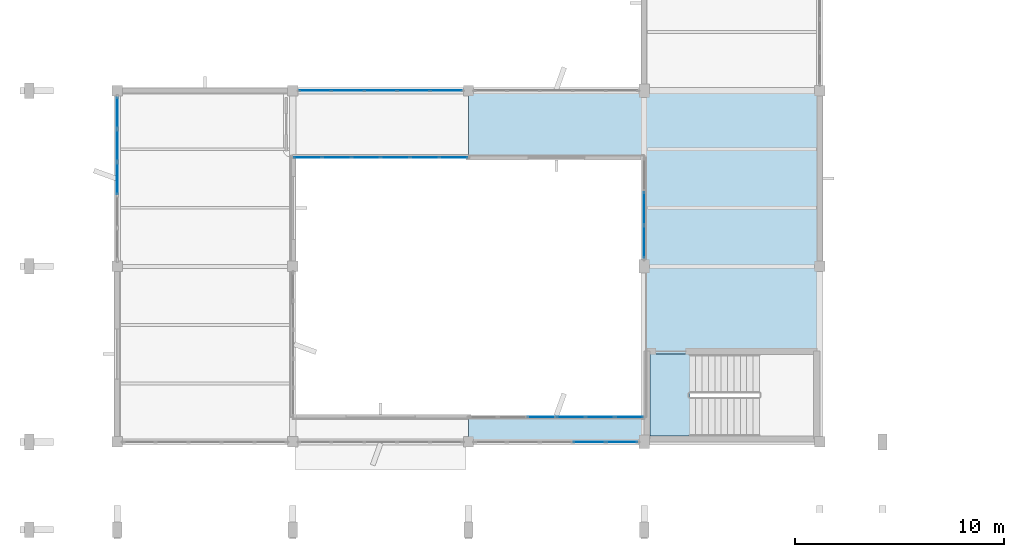
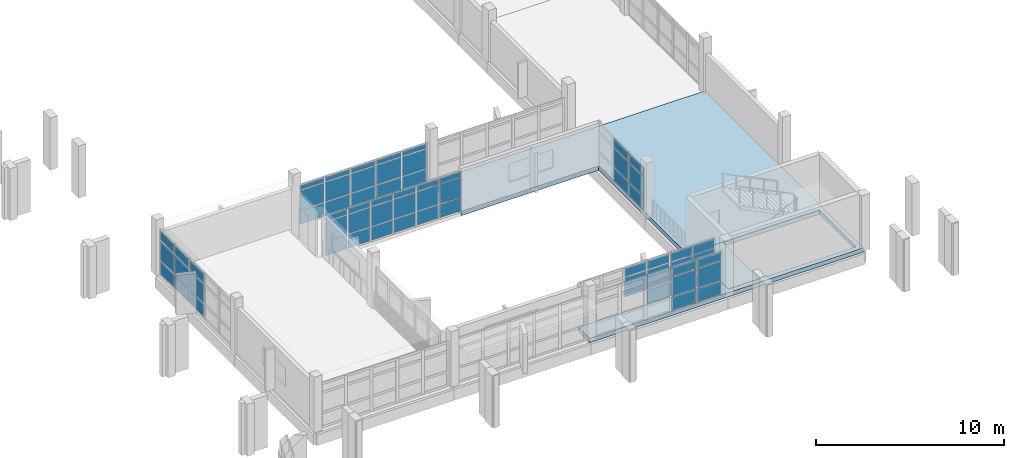
# One storey, part 50 of 104: 65 plates, 2 slabs, 6 elements without a shape of their own.
"""IFC4 building model written with IfcOpenShell, lengths in metres."""

from ifc_helpers import new_model, si_unit, direction, frame, origin, origin_2d, place, context, subcontext, project, spatial, polyline, rectangle, outline, extrude, material, layer, layer_set, type_object, element, aggregate, save


model = new_model("IFC4")

# Units and contexts
model_context = context("Model", 3, precision=1e-05, world=origin(), true_north=direction((0.0, 1.0)))
body_context = subcontext(model_context, "Body", "Model", "MODEL_VIEW")
ifc_project = project(units=[si_unit("LENGTHUNIT", "METRE"), si_unit("AREAUNIT", "SQUARE_METRE"), si_unit("VOLUMEUNIT", "CUBIC_METRE"), si_unit("PLANEANGLEUNIT", "RADIAN"), si_unit("MASSUNIT", "GRAM", prefix="KILO")], contexts=[model_context])

# Site, building, storey
site_placement = place(None, origin())
site = spatial("IfcSite", under=ifc_project, at=site_placement, CompositionType="ELEMENT")
building_placement = place(site_placement, origin())
building = spatial("IfcBuilding", under=site, at=building_placement, Name="Vanh Quang Courtyard School", CompositionType="ELEMENT")
storey_placement = place(building_placement, frame((0.0, 0.0, 4.199951171875)))
storey = spatial("IfcBuildingStorey", under=building, at=storey_placement, Name="L01", CompositionType="ELEMENT", Elevation=4.199951171875)

# Curtain wall, plates
ifc_material_1 = material(Name="Thermally broken aluminium unitised curtain wall", Category="aluminium")
curtain_wall_type_1 = type_object("IfcCurtainWallType", Name="CW-SYS-29", PredefinedType="NOTDEFINED", material=ifc_material_1)
curtain_wall_1_placement = place(storey_placement, origin())
curtain_wall_1 = element("IfcCurtainWall", 1, at=curtain_wall_1_placement, inside=storey, type_object=curtain_wall_type_1, Name="Curtain Wall CW-29 (L01)", PredefinedType="NOTDEFINED")
ifc_material_2 = material(Name="Low-E laminated double glazing", Category="glass")
ifc_layer_1 = layer(ifc_material_2, 0.028076171875)
ifc_layer_set_1 = layer_set([ifc_layer_1], Name="Low-E laminated double glazing")
plate_type_1 = type_object("IfcPlateType", Name="CW-PNL-28", PredefinedType="CURTAIN_PANEL", material=ifc_layer_set_1)
plate_1_placement = place(storey_placement, frame((28.33349609375, 4.199951171875, 0.080078125), z_axis=(0.0, 0.0, 1.0), x_axis=(-1.0, 0.0, 0.0)))
plate_1 = element("IfcPlate", 2, at=plate_1_placement, type_object=plate_type_1, Name="CW-29 panel 1.1", PredefinedType="CURTAIN_PANEL", context=body_context, shape_type="SweptSolid", body=[
    extrude(rectangle(XDim=1.456787109375, YDim=0.028076171875, at=origin_2d()), origin(), (0.0, 0.0, 1.0), 0.830078125),
])
plate_2_placement = place(storey_placement, frame((28.33349609375, 4.199951171875, 0.990234375), z_axis=(0.0, 0.0, 1.0), x_axis=(-1.0, 0.0, 0.0)))
plate_2 = element("IfcPlate", 3, at=plate_2_placement, type_object=plate_type_1, Name="CW-29 panel 1.2", PredefinedType="CURTAIN_PANEL", context=body_context, shape_type="SweptSolid", body=[
    extrude(rectangle(XDim=1.456787109375, YDim=0.028076171875, at=origin_2d()), origin(), (0.0, 0.0, 1.0), 1.219970703125),
])
plate_3_placement = place(storey_placement, frame((28.33349609375, 4.199951171875, 2.2900390625), z_axis=(0.0, 0.0, 1.0), x_axis=(-1.0, 0.0, 0.0)))
plate_3 = element("IfcPlate", 4, at=plate_3_placement, type_object=plate_type_1, Name="CW-29 panel 1.3", PredefinedType="CURTAIN_PANEL", context=body_context, shape_type="SweptSolid", body=[
    extrude(rectangle(XDim=1.456787109375, YDim=0.028076171875, at=origin_2d()), origin(), (0.0, 0.0, 1.0), 0.5),
])
plate_4_placement = place(storey_placement, frame((26.77685546875, 4.199951171875, 0.080078125), z_axis=(0.0, 0.0, 1.0), x_axis=(-1.0, 0.0, 0.0)))
plate_4 = element("IfcPlate", 5, at=plate_4_placement, type_object=plate_type_1, Name="CW-29 panel 2.1", PredefinedType="CURTAIN_PANEL", context=body_context, shape_type="SweptSolid", body=[
    extrude(rectangle(XDim=1.496826171875, YDim=0.028076171875, at=origin_2d()), origin(), (0.0, 0.0, 1.0), 0.830078125),
])
plate_5_placement = place(storey_placement, frame((26.77685546875, 4.199951171875, 0.990234375), z_axis=(0.0, 0.0, 1.0), x_axis=(-1.0, 0.0, 0.0)))
plate_5 = element("IfcPlate", 6, at=plate_5_placement, type_object=plate_type_1, Name="CW-29 panel 2.2", PredefinedType="CURTAIN_PANEL", context=body_context, shape_type="SweptSolid", body=[
    extrude(rectangle(XDim=1.496826171875, YDim=0.028076171875, at=origin_2d()), origin(), (0.0, 0.0, 1.0), 1.219970703125),
])
plate_6_placement = place(storey_placement, frame((26.77685546875, 4.199951171875, 2.2900390625), z_axis=(0.0, 0.0, 1.0), x_axis=(-1.0, 0.0, 0.0)))
plate_6 = element("IfcPlate", 7, at=plate_6_placement, type_object=plate_type_1, Name="CW-29 panel 2.3", PredefinedType="CURTAIN_PANEL", context=body_context, shape_type="SweptSolid", body=[
    extrude(rectangle(XDim=1.496826171875, YDim=0.028076171875, at=origin_2d()), origin(), (0.0, 0.0, 1.0), 0.5),
])
aggregate(curtain_wall_1, [plate_1, plate_2, plate_3, plate_4, plate_5, plate_6])

curtain_wall_type_2 = type_object("IfcCurtainWallType", Name="CW-SYS-19", PredefinedType="NOTDEFINED", material=ifc_material_1)
curtain_wall_2_placement = place(storey_placement, origin())
curtain_wall_2 = element("IfcCurtainWall", 8, at=curtain_wall_2_placement, inside=storey, type_object=curtain_wall_type_2, Name="Curtain Wall CW-19 (L01)", PredefinedType="NOTDEFINED")
plate_7_placement = place(storey_placement, frame((13.661376953125, 21.0, 0.06005859375), z_axis=(0.0, 0.0, 1.0), x_axis=(1.0, 0.0, 0.0)))
plate_7 = element("IfcPlate", 9, at=plate_7_placement, type_object=plate_type_1, Name="CW-19 panel 1.1", PredefinedType="CURTAIN_PANEL", context=body_context, shape_type="SweptSolid", body=[
    extrude(rectangle(XDim=1.48681640625, YDim=0.028076171875, at=origin_2d()), origin(), (0.0, 0.0, 1.0), 0.860107421875),
])
plate_8_placement = place(storey_placement, frame((13.661376953125, 21.0, 0.97998046875), z_axis=(0.0, 0.0, 1.0), x_axis=(1.0, 0.0, 0.0)))
plate_8 = element("IfcPlate", 10, at=plate_8_placement, type_object=plate_type_1, Name="CW-19 panel 1.2", PredefinedType="CURTAIN_PANEL", context=body_context, shape_type="SweptSolid", body=[
    extrude(rectangle(XDim=1.48681640625, YDim=0.028076171875, at=origin_2d()), origin(), (0.0, 0.0, 1.0), 1.239990234375),
])
plate_9_placement = place(storey_placement, frame((13.661376953125, 21.0, 2.2802734375), z_axis=(0.0, 0.0, 1.0), x_axis=(1.0, 0.0, 0.0)))
plate_9 = element("IfcPlate", 11, at=plate_9_placement, type_object=plate_type_1, Name="CW-19 panel 1.3", PredefinedType="CURTAIN_PANEL", context=body_context, shape_type="SweptSolid", body=[
    extrude(rectangle(XDim=1.48681640625, YDim=0.028076171875, at=origin_2d()), origin(), (0.0, 0.0, 1.0), 0.280029296875),
])
plate_10_placement = place(storey_placement, frame((15.22314453125, 21.0, 0.06005859375), z_axis=(0.0, 0.0, 1.0), x_axis=(1.0, 0.0, 0.0)))
plate_10 = element("IfcPlate", 12, at=plate_10_placement, type_object=plate_type_1, Name="CW-19 panel 2.1", PredefinedType="CURTAIN_PANEL", context=body_context, shape_type="SweptSolid", body=[
    extrude(rectangle(XDim=1.516845703125, YDim=0.028076171875, at=origin_2d()), origin(), (0.0, 0.0, 1.0), 0.860107421875),
])
plate_11_placement = place(storey_placement, frame((15.22314453125, 21.0, 0.97998046875), z_axis=(0.0, 0.0, 1.0), x_axis=(1.0, 0.0, 0.0)))
plate_11 = element("IfcPlate", 13, at=plate_11_placement, type_object=plate_type_1, Name="CW-19 panel 2.2", PredefinedType="CURTAIN_PANEL", context=body_context, shape_type="SweptSolid", body=[
    extrude(rectangle(XDim=1.516845703125, YDim=0.028076171875, at=origin_2d()), origin(), (0.0, 0.0, 1.0), 1.239990234375),
])
plate_12_placement = place(storey_placement, frame((15.22314453125, 21.0, 2.2802734375), z_axis=(0.0, 0.0, 1.0), x_axis=(1.0, 0.0, 0.0)))
plate_12 = element("IfcPlate", 14, at=plate_12_placement, type_object=plate_type_1, Name="CW-19 panel 2.3", PredefinedType="CURTAIN_PANEL", context=body_context, shape_type="SweptSolid", body=[
    extrude(rectangle(XDim=1.516845703125, YDim=0.028076171875, at=origin_2d()), origin(), (0.0, 0.0, 1.0), 0.280029296875),
])
plate_13_placement = place(storey_placement, frame((16.800048828125, 21.0, 0.06005859375), z_axis=(0.0, 0.0, 1.0), x_axis=(1.0, 0.0, 0.0)))
plate_13 = element("IfcPlate", 15, at=plate_13_placement, type_object=plate_type_1, Name="CW-19 panel 3.1", PredefinedType="CURTAIN_PANEL", context=body_context, shape_type="SweptSolid", body=[
    extrude(rectangle(XDim=1.516845703125, YDim=0.028076171875, at=origin_2d()), origin(), (0.0, 0.0, 1.0), 0.860107421875),
])
plate_14_placement = place(storey_placement, frame((16.800048828125, 21.0, 0.97998046875), z_axis=(0.0, 0.0, 1.0), x_axis=(1.0, 0.0, 0.0)))
plate_14 = element("IfcPlate", 16, at=plate_14_placement, type_object=plate_type_1, Name="CW-19 panel 3.2", PredefinedType="CURTAIN_PANEL", context=body_context, shape_type="SweptSolid", body=[
    extrude(rectangle(XDim=1.516845703125, YDim=0.028076171875, at=origin_2d()), origin(), (0.0, 0.0, 1.0), 1.239990234375),
])
plate_15_placement = place(storey_placement, frame((16.800048828125, 21.0, 2.2802734375), z_axis=(0.0, 0.0, 1.0), x_axis=(1.0, 0.0, 0.0)))
plate_15 = element("IfcPlate", 17, at=plate_15_placement, type_object=plate_type_1, Name="CW-19 panel 3.3", PredefinedType="CURTAIN_PANEL", context=body_context, shape_type="SweptSolid", body=[
    extrude(rectangle(XDim=1.516845703125, YDim=0.028076171875, at=origin_2d()), origin(), (0.0, 0.0, 1.0), 0.280029296875),
])
plate_16_placement = place(storey_placement, frame((18.376708984375, 21.0, 0.06005859375), z_axis=(0.0, 0.0, 1.0), x_axis=(1.0, 0.0, 0.0)))
plate_16 = element("IfcPlate", 18, at=plate_16_placement, type_object=plate_type_1, Name="CW-19 panel 4.1", PredefinedType="CURTAIN_PANEL", context=body_context, shape_type="SweptSolid", body=[
    extrude(rectangle(XDim=1.516845703125, YDim=0.028076171875, at=origin_2d()), origin(), (0.0, 0.0, 1.0), 0.860107421875),
])
plate_17_placement = place(storey_placement, frame((18.376708984375, 21.0, 0.97998046875), z_axis=(0.0, 0.0, 1.0), x_axis=(1.0, 0.0, 0.0)))
plate_17 = element("IfcPlate", 19, at=plate_17_placement, type_object=plate_type_1, Name="CW-19 panel 4.2", PredefinedType="CURTAIN_PANEL", context=body_context, shape_type="SweptSolid", body=[
    extrude(rectangle(XDim=1.516845703125, YDim=0.028076171875, at=origin_2d()), origin(), (0.0, 0.0, 1.0), 1.239990234375),
])
plate_18_placement = place(storey_placement, frame((18.376708984375, 21.0, 2.2802734375), z_axis=(0.0, 0.0, 1.0), x_axis=(1.0, 0.0, 0.0)))
plate_18 = element("IfcPlate", 20, at=plate_18_placement, type_object=plate_type_1, Name="CW-19 panel 4.3", PredefinedType="CURTAIN_PANEL", context=body_context, shape_type="SweptSolid", body=[
    extrude(rectangle(XDim=1.516845703125, YDim=0.028076171875, at=origin_2d()), origin(), (0.0, 0.0, 1.0), 0.280029296875),
])
plate_19_placement = place(storey_placement, frame((19.938720703125, 21.0, 0.06005859375), z_axis=(0.0, 0.0, 1.0), x_axis=(1.0, 0.0, 0.0)))
plate_19 = element("IfcPlate", 21, at=plate_19_placement, type_object=plate_type_1, Name="CW-19 panel 5.1", PredefinedType="CURTAIN_PANEL", context=body_context, shape_type="SweptSolid", body=[
    extrude(rectangle(XDim=1.48681640625, YDim=0.028076171875, at=origin_2d()), origin(), (0.0, 0.0, 1.0), 0.860107421875),
])
plate_20_placement = place(storey_placement, frame((19.938720703125, 21.0, 0.97998046875), z_axis=(0.0, 0.0, 1.0), x_axis=(1.0, 0.0, 0.0)))
plate_20 = element("IfcPlate", 22, at=plate_20_placement, type_object=plate_type_1, Name="CW-19 panel 5.2", PredefinedType="CURTAIN_PANEL", context=body_context, shape_type="SweptSolid", body=[
    extrude(rectangle(XDim=1.48681640625, YDim=0.028076171875, at=origin_2d()), origin(), (0.0, 0.0, 1.0), 1.239990234375),
])
plate_21_placement = place(storey_placement, frame((19.938720703125, 21.0, 2.2802734375), z_axis=(0.0, 0.0, 1.0), x_axis=(1.0, 0.0, 0.0)))
plate_21 = element("IfcPlate", 23, at=plate_21_placement, type_object=plate_type_1, Name="CW-19 panel 5.3", PredefinedType="CURTAIN_PANEL", context=body_context, shape_type="SweptSolid", body=[
    extrude(rectangle(XDim=1.48681640625, YDim=0.028076171875, at=origin_2d()), origin(), (0.0, 0.0, 1.0), 0.280029296875),
])
aggregate(curtain_wall_2, [plate_7, plate_8, plate_9, plate_10, plate_11, plate_12, plate_13, plate_14, plate_15, plate_16, plate_17, plate_18, plate_19, plate_20, plate_21])

curtain_wall_type_3 = type_object("IfcCurtainWallType", Name="CW-SYS-32", PredefinedType="NOTDEFINED", material=ifc_material_1)
curtain_wall_3_placement = place(storey_placement, origin())
curtain_wall_3 = element("IfcCurtainWall", 24, at=curtain_wall_3_placement, inside=storey, type_object=curtain_wall_type_3, Name="Curtain Wall CW-32 (L01)", PredefinedType="NOTDEFINED")
plate_22_placement = place(storey_placement, frame((29.39990234375, 13.76416015625, 0.080078125), z_axis=(0.0, 0.0, 1.0), x_axis=(0.0, 1.0, 0.0)))
plate_22 = element("IfcPlate", 25, at=plate_22_placement, type_object=plate_type_1, Name="CW-32 panel 1.1", PredefinedType="CURTAIN_PANEL", context=body_context, shape_type="SweptSolid", body=[
    extrude(rectangle(XDim=1.50244140625, YDim=0.028076171875, at=origin_2d()), origin(), (0.0, 0.0, 1.0), 0.830078125),
])
plate_23_placement = place(storey_placement, frame((29.39990234375, 13.76416015625, 0.990234375), z_axis=(0.0, 0.0, 1.0), x_axis=(0.0, 1.0, 0.0)))
plate_23 = element("IfcPlate", 26, at=plate_23_placement, type_object=plate_type_1, Name="CW-32 panel 1.2", PredefinedType="CURTAIN_PANEL", context=body_context, shape_type="SweptSolid", body=[
    extrude(rectangle(XDim=1.50244140625, YDim=0.028076171875, at=origin_2d()), origin(), (0.0, 0.0, 1.0), 1.219970703125),
])
plate_24_placement = place(storey_placement, frame((29.39990234375, 13.76416015625, 2.2900390625), z_axis=(0.0, 0.0, 1.0), x_axis=(0.0, 1.0, 0.0)))
plate_24 = element("IfcPlate", 27, at=plate_24_placement, type_object=plate_type_1, Name="CW-32 panel 1.3", PredefinedType="CURTAIN_PANEL", context=body_context, shape_type="SweptSolid", body=[
    extrude(rectangle(XDim=1.50244140625, YDim=0.028076171875, at=origin_2d()), origin(), (0.0, 0.0, 1.0), 0.510009765625),
])
plate_25_placement = place(storey_placement, frame((29.39990234375, 15.366455078125, 0.080078125), z_axis=(0.0, 0.0, 1.0), x_axis=(0.0, 1.0, 0.0)))
plate_25 = element("IfcPlate", 28, at=plate_25_placement, type_object=plate_type_1, Name="CW-32 panel 2.1", PredefinedType="CURTAIN_PANEL", context=body_context, shape_type="SweptSolid", body=[
    extrude(rectangle(XDim=1.542236328125, YDim=0.028076171875, at=origin_2d()), origin(), (0.0, 0.0, 1.0), 0.830078125),
])
plate_26_placement = place(storey_placement, frame((29.39990234375, 15.366455078125, 0.990234375), z_axis=(0.0, 0.0, 1.0), x_axis=(0.0, 1.0, 0.0)))
plate_26 = element("IfcPlate", 29, at=plate_26_placement, type_object=plate_type_1, Name="CW-32 panel 2.2", PredefinedType="CURTAIN_PANEL", context=body_context, shape_type="SweptSolid", body=[
    extrude(rectangle(XDim=1.542236328125, YDim=0.028076171875, at=origin_2d()), origin(), (0.0, 0.0, 1.0), 1.219970703125),
])
plate_27_placement = place(storey_placement, frame((29.39990234375, 15.366455078125, 2.2900390625), z_axis=(0.0, 0.0, 1.0), x_axis=(0.0, 1.0, 0.0)))
plate_27 = element("IfcPlate", 30, at=plate_27_placement, type_object=plate_type_1, Name="CW-32 panel 2.3", PredefinedType="CURTAIN_PANEL", context=body_context, shape_type="SweptSolid", body=[
    extrude(rectangle(XDim=1.542236328125, YDim=0.028076171875, at=origin_2d()), origin(), (0.0, 0.0, 1.0), 0.510009765625),
])
aggregate(curtain_wall_3, [plate_22, plate_23, plate_24, plate_25, plate_26, plate_27])

curtain_wall_type_4 = type_object("IfcCurtainWallType", Name="CW-SYS-30", PredefinedType="NOTDEFINED", material=ifc_material_1)
curtain_wall_4_placement = place(storey_placement, origin())
curtain_wall_4 = element("IfcCurtainWall", 31, at=curtain_wall_4_placement, inside=storey, type_object=curtain_wall_type_4, Name="Curtain Wall CW-30 (L01)", PredefinedType="NOTDEFINED")
ifc_layer_2 = layer(ifc_material_2, 0.031982421875)
ifc_layer_set_2 = layer_set([ifc_layer_2], Name="Low-E laminated double glazing")
plate_type_2 = type_object("IfcPlateType", Name="CW-PNL-32", PredefinedType="CURTAIN_PANEL", material=ifc_layer_set_2)
plate_28_placement = place(storey_placement, frame((4.199951171875, 16.800048828125, 0.080078125), z_axis=(0.0, 0.0, 1.0), x_axis=(0.0, 1.0, 0.0)))
plate_28 = element("IfcPlate", 32, at=plate_28_placement, type_object=plate_type_2, Name="CW-30 panel 3.1", PredefinedType="CURTAIN_PANEL", context=body_context, shape_type="SweptSolid", body=[
    extrude(rectangle(XDim=1.496826171875, YDim=0.031982421875, at=origin_2d()), origin(), (0.0, 0.0, 1.0), 0.830078125),
])
plate_29_placement = place(storey_placement, frame((4.199951171875, 16.800048828125, 0.990234375), z_axis=(0.0, 0.0, 1.0), x_axis=(0.0, 1.0, 0.0)))
plate_29 = element("IfcPlate", 33, at=plate_29_placement, type_object=plate_type_2, Name="CW-30 panel 3.2", PredefinedType="CURTAIN_PANEL", context=body_context, shape_type="SweptSolid", body=[
    extrude(rectangle(XDim=1.496826171875, YDim=0.031982421875, at=origin_2d()), origin(), (0.0, 0.0, 1.0), 1.219970703125),
])
plate_30_placement = place(storey_placement, frame((4.199951171875, 16.800048828125, 2.2900390625), z_axis=(0.0, 0.0, 1.0), x_axis=(0.0, 1.0, 0.0)))
plate_30 = element("IfcPlate", 34, at=plate_30_placement, type_object=plate_type_2, Name="CW-30 panel 3.3", PredefinedType="CURTAIN_PANEL", context=body_context, shape_type="SweptSolid", body=[
    extrude(rectangle(XDim=1.496826171875, YDim=0.031982421875, at=origin_2d()), origin(), (0.0, 0.0, 1.0), 0.590087890625),
])
plate_31_placement = place(storey_placement, frame((4.199951171875, 18.376708984375, 0.080078125), z_axis=(0.0, 0.0, 1.0), x_axis=(0.0, 1.0, 0.0)))
plate_31 = element("IfcPlate", 35, at=plate_31_placement, type_object=plate_type_2, Name="CW-30 panel 4.1", PredefinedType="CURTAIN_PANEL", context=body_context, shape_type="SweptSolid", body=[
    extrude(rectangle(XDim=1.496826171875, YDim=0.031982421875, at=origin_2d()), origin(), (0.0, 0.0, 1.0), 0.830078125),
])
plate_32_placement = place(storey_placement, frame((4.199951171875, 18.376708984375, 0.990234375), z_axis=(0.0, 0.0, 1.0), x_axis=(0.0, 1.0, 0.0)))
plate_32 = element("IfcPlate", 36, at=plate_32_placement, type_object=plate_type_2, Name="CW-30 panel 4.2", PredefinedType="CURTAIN_PANEL", context=body_context, shape_type="SweptSolid", body=[
    extrude(rectangle(XDim=1.496826171875, YDim=0.031982421875, at=origin_2d()), origin(), (0.0, 0.0, 1.0), 1.219970703125),
])
plate_33_placement = place(storey_placement, frame((4.199951171875, 18.376708984375, 2.2900390625), z_axis=(0.0, 0.0, 1.0), x_axis=(0.0, 1.0, 0.0)))
plate_33 = element("IfcPlate", 37, at=plate_33_placement, type_object=plate_type_2, Name="CW-30 panel 4.3", PredefinedType="CURTAIN_PANEL", context=body_context, shape_type="SweptSolid", body=[
    extrude(rectangle(XDim=1.496826171875, YDim=0.031982421875, at=origin_2d()), origin(), (0.0, 0.0, 1.0), 0.590087890625),
])
plate_34_placement = place(storey_placement, frame((4.199951171875, 19.93359375, 0.080078125), z_axis=(0.0, 0.0, 1.0), x_axis=(0.0, 1.0, 0.0)))
plate_34 = element("IfcPlate", 38, at=plate_34_placement, type_object=plate_type_2, Name="CW-30 panel 5.1", PredefinedType="CURTAIN_PANEL", context=body_context, shape_type="SweptSolid", body=[
    extrude(rectangle(XDim=1.456787109375, YDim=0.031982421875, at=origin_2d()), origin(), (0.0, 0.0, 1.0), 0.830078125),
])
plate_35_placement = place(storey_placement, frame((4.199951171875, 19.93359375, 0.990234375), z_axis=(0.0, 0.0, 1.0), x_axis=(0.0, 1.0, 0.0)))
plate_35 = element("IfcPlate", 39, at=plate_35_placement, type_object=plate_type_2, Name="CW-30 panel 5.2", PredefinedType="CURTAIN_PANEL", context=body_context, shape_type="SweptSolid", body=[
    extrude(rectangle(XDim=1.456787109375, YDim=0.031982421875, at=origin_2d()), origin(), (0.0, 0.0, 1.0), 1.219970703125),
])
plate_36_placement = place(storey_placement, frame((4.199951171875, 19.93359375, 2.2900390625), z_axis=(0.0, 0.0, 1.0), x_axis=(0.0, 1.0, 0.0)))
plate_36 = element("IfcPlate", 40, at=plate_36_placement, type_object=plate_type_2, Name="CW-30 panel 5.3", PredefinedType="CURTAIN_PANEL", context=body_context, shape_type="SweptSolid", body=[
    extrude(rectangle(XDim=1.456787109375, YDim=0.031982421875, at=origin_2d()), origin(), (0.0, 0.0, 1.0), 0.590087890625),
])
aggregate(curtain_wall_4, [plate_28, plate_29, plate_30, plate_31, plate_32, plate_33, plate_34, plate_35, plate_36])

curtain_wall_type_5 = type_object("IfcCurtainWallType", Name="CW-SYS-31", PredefinedType="NOTDEFINED", material=ifc_material_1)
curtain_wall_5_placement = place(storey_placement, origin())
curtain_wall_5 = element("IfcCurtainWall", 41, at=curtain_wall_5_placement, inside=storey, type_object=curtain_wall_type_5, Name="Curtain Wall CW-31 (L01)", PredefinedType="NOTDEFINED")
plate_37_placement = place(storey_placement, frame((24.5, 5.39990234375, 0.985107421875), z_axis=(0.0, 0.0, 1.0), x_axis=(1.0, 0.0, 0.0)))
plate_37 = element("IfcPlate", 42, at=plate_37_placement, type_object=plate_type_2, Name="CW-31 panel 3.2", PredefinedType="CURTAIN_PANEL", context=body_context, shape_type="SweptSolid", body=[
    extrude(rectangle(XDim=1.330078125, YDim=0.031982421875, at=origin_2d()), origin(), (0.0, 0.0, 1.0), 1.22998046875),
])
plate_38_placement = place(storey_placement, frame((24.5, 5.39990234375, 2.28515625), z_axis=(0.0, 0.0, 1.0), x_axis=(1.0, 0.0, 0.0)))
plate_38 = element("IfcPlate", 43, at=plate_38_placement, type_object=plate_type_2, Name="CW-31 panel 3.3", PredefinedType="CURTAIN_PANEL", context=body_context, shape_type="SweptSolid", body=[
    extrude(rectangle(XDim=1.330078125, YDim=0.031982421875, at=origin_2d()), origin(), (0.0, 0.0, 1.0), 0.52490234375),
])
plate_39_placement = place(storey_placement, frame((25.89990234375, 5.39990234375, 0.06982421875), z_axis=(0.0, 0.0, 1.0), x_axis=(1.0, 0.0, 0.0)))
plate_39 = element("IfcPlate", 44, at=plate_39_placement, type_object=plate_type_2, Name="CW-31 panel 4.1", PredefinedType="CURTAIN_PANEL", context=body_context, shape_type="SweptSolid", body=[
    extrude(rectangle(XDim=1.330078125, YDim=0.031982421875, at=origin_2d()), origin(), (0.0, 0.0, 1.0), 0.844970703125),
])
plate_40_placement = place(storey_placement, frame((25.89990234375, 5.39990234375, 0.985107421875), z_axis=(0.0, 0.0, 1.0), x_axis=(1.0, 0.0, 0.0)))
plate_40 = element("IfcPlate", 45, at=plate_40_placement, type_object=plate_type_2, Name="CW-31 panel 4.2", PredefinedType="CURTAIN_PANEL", context=body_context, shape_type="SweptSolid", body=[
    extrude(rectangle(XDim=1.330078125, YDim=0.031982421875, at=origin_2d()), origin(), (0.0, 0.0, 1.0), 1.22998046875),
])
plate_41_placement = place(storey_placement, frame((25.89990234375, 5.39990234375, 2.28515625), z_axis=(0.0, 0.0, 1.0), x_axis=(1.0, 0.0, 0.0)))
plate_41 = element("IfcPlate", 46, at=plate_41_placement, type_object=plate_type_2, Name="CW-31 panel 4.3", PredefinedType="CURTAIN_PANEL", context=body_context, shape_type="SweptSolid", body=[
    extrude(rectangle(XDim=1.330078125, YDim=0.031982421875, at=origin_2d()), origin(), (0.0, 0.0, 1.0), 0.52490234375),
])
plate_42_placement = place(storey_placement, frame((27.300048828125, 5.39990234375, 0.06982421875), z_axis=(0.0, 0.0, 1.0), x_axis=(1.0, 0.0, 0.0)))
plate_42 = element("IfcPlate", 47, at=plate_42_placement, type_object=plate_type_2, Name="CW-31 panel 5.1", PredefinedType="CURTAIN_PANEL", context=body_context, shape_type="SweptSolid", body=[
    extrude(rectangle(XDim=1.330078125, YDim=0.031982421875, at=origin_2d()), origin(), (0.0, 0.0, 1.0), 0.844970703125),
])
plate_43_placement = place(storey_placement, frame((27.300048828125, 5.39990234375, 0.985107421875), z_axis=(0.0, 0.0, 1.0), x_axis=(1.0, 0.0, 0.0)))
plate_43 = element("IfcPlate", 48, at=plate_43_placement, type_object=plate_type_2, Name="CW-31 panel 5.2", PredefinedType="CURTAIN_PANEL", context=body_context, shape_type="SweptSolid", body=[
    extrude(rectangle(XDim=1.330078125, YDim=0.031982421875, at=origin_2d()), origin(), (0.0, 0.0, 1.0), 1.22998046875),
])
plate_44_placement = place(storey_placement, frame((27.300048828125, 5.39990234375, 2.28515625), z_axis=(0.0, 0.0, 1.0), x_axis=(1.0, 0.0, 0.0)))
plate_44 = element("IfcPlate", 49, at=plate_44_placement, type_object=plate_type_2, Name="CW-31 panel 5.3", PredefinedType="CURTAIN_PANEL", context=body_context, shape_type="SweptSolid", body=[
    extrude(rectangle(XDim=1.330078125, YDim=0.031982421875, at=origin_2d()), origin(), (0.0, 0.0, 1.0), 0.52490234375),
])
plate_45_placement = place(storey_placement, frame((28.6826171875, 5.39990234375, 0.06982421875), z_axis=(0.0, 0.0, 1.0), x_axis=(1.0, 0.0, 0.0)))
plate_45 = element("IfcPlate", 50, at=plate_45_placement, type_object=plate_type_2, Name="CW-31 panel 6.1", PredefinedType="CURTAIN_PANEL", context=body_context, shape_type="SweptSolid", body=[
    extrude(rectangle(XDim=1.294921875, YDim=0.031982421875, at=origin_2d()), origin(), (0.0, 0.0, 1.0), 0.844970703125),
])
plate_46_placement = place(storey_placement, frame((28.6826171875, 5.39990234375, 0.985107421875), z_axis=(0.0, 0.0, 1.0), x_axis=(1.0, 0.0, 0.0)))
plate_46 = element("IfcPlate", 51, at=plate_46_placement, type_object=plate_type_2, Name="CW-31 panel 6.2", PredefinedType="CURTAIN_PANEL", context=body_context, shape_type="SweptSolid", body=[
    extrude(rectangle(XDim=1.294921875, YDim=0.031982421875, at=origin_2d()), origin(), (0.0, 0.0, 1.0), 1.22998046875),
])
plate_47_placement = place(storey_placement, frame((28.6826171875, 5.39990234375, 2.28515625), z_axis=(0.0, 0.0, 1.0), x_axis=(1.0, 0.0, 0.0)))
plate_47 = element("IfcPlate", 52, at=plate_47_placement, type_object=plate_type_2, Name="CW-31 panel 6.3", PredefinedType="CURTAIN_PANEL", context=body_context, shape_type="SweptSolid", body=[
    extrude(rectangle(XDim=1.294921875, YDim=0.031982421875, at=origin_2d()), origin(), (0.0, 0.0, 1.0), 0.52490234375),
])
aggregate(curtain_wall_5, [plate_37, plate_38, plate_39, plate_40, plate_41, plate_42, plate_43, plate_44, plate_45, plate_46, plate_47])

curtain_wall_type_6 = type_object("IfcCurtainWallType", Name="CW-SYS-33", PredefinedType="NOTDEFINED", material=ifc_material_1)
curtain_wall_6_placement = place(storey_placement, origin())
curtain_wall_6 = element("IfcCurtainWall", 53, at=curtain_wall_6_placement, inside=storey, type_object=curtain_wall_type_6, Name="Curtain Wall CW-33 (L01)", PredefinedType="NOTDEFINED")
plate_48_placement = place(storey_placement, frame((20.284912109375, 17.800048828125, 0.06005859375), z_axis=(0.0, 0.0, 1.0), x_axis=(-1.0, 0.0, 0.0)))
plate_48 = element("IfcPlate", 54, at=plate_48_placement, type_object=plate_type_2, Name="CW-33 panel 1.1", PredefinedType="CURTAIN_PANEL", context=body_context, shape_type="SweptSolid", body=[
    extrude(rectangle(XDim=1.31005859375, YDim=0.031982421875, at=origin_2d()), origin(), (0.0, 0.0, 1.0), 0.860107421875),
])
plate_49_placement = place(storey_placement, frame((20.284912109375, 17.800048828125, 0.97998046875), z_axis=(0.0, 0.0, 1.0), x_axis=(-1.0, 0.0, 0.0)))
plate_49 = element("IfcPlate", 55, at=plate_49_placement, type_object=plate_type_2, Name="CW-33 panel 1.2", PredefinedType="CURTAIN_PANEL", context=body_context, shape_type="SweptSolid", body=[
    extrude(rectangle(XDim=1.31005859375, YDim=0.031982421875, at=origin_2d()), origin(), (0.0, 0.0, 1.0), 1.239990234375),
])
plate_50_placement = place(storey_placement, frame((20.284912109375, 17.800048828125, 2.280029296875), z_axis=(0.0, 0.0, 1.0), x_axis=(-1.0, 0.0, 0.0)))
plate_50 = element("IfcPlate", 56, at=plate_50_placement, type_object=plate_type_2, Name="CW-33 panel 1.3", PredefinedType="CURTAIN_PANEL", context=body_context, shape_type="SweptSolid", body=[
    extrude(rectangle(XDim=1.31005859375, YDim=0.031982421875, at=origin_2d()), origin(), (0.0, 0.0, 1.0), 0.330078125),
])
plate_51_placement = place(storey_placement, frame((18.89990234375, 17.800048828125, 0.06005859375), z_axis=(0.0, 0.0, 1.0), x_axis=(-1.0, 0.0, 0.0)))
plate_51 = element("IfcPlate", 57, at=plate_51_placement, type_object=plate_type_2, Name="CW-33 panel 2.1", PredefinedType="CURTAIN_PANEL", context=body_context, shape_type="SweptSolid", body=[
    extrude(rectangle(XDim=1.340087890625, YDim=0.031982421875, at=origin_2d()), origin(), (0.0, 0.0, 1.0), 0.860107421875),
])
plate_52_placement = place(storey_placement, frame((18.89990234375, 17.800048828125, 0.97998046875), z_axis=(0.0, 0.0, 1.0), x_axis=(-1.0, 0.0, 0.0)))
plate_52 = element("IfcPlate", 58, at=plate_52_placement, type_object=plate_type_2, Name="CW-33 panel 2.2", PredefinedType="CURTAIN_PANEL", context=body_context, shape_type="SweptSolid", body=[
    extrude(rectangle(XDim=1.340087890625, YDim=0.031982421875, at=origin_2d()), origin(), (0.0, 0.0, 1.0), 1.239990234375),
])
plate_53_placement = place(storey_placement, frame((18.89990234375, 17.800048828125, 2.280029296875), z_axis=(0.0, 0.0, 1.0), x_axis=(-1.0, 0.0, 0.0)))
plate_53 = element("IfcPlate", 59, at=plate_53_placement, type_object=plate_type_2, Name="CW-33 panel 2.3", PredefinedType="CURTAIN_PANEL", context=body_context, shape_type="SweptSolid", body=[
    extrude(rectangle(XDim=1.340087890625, YDim=0.031982421875, at=origin_2d()), origin(), (0.0, 0.0, 1.0), 0.330078125),
])
plate_54_placement = place(storey_placement, frame((17.5, 17.800048828125, 0.06005859375), z_axis=(0.0, 0.0, 1.0), x_axis=(-1.0, 0.0, 0.0)))
plate_54 = element("IfcPlate", 60, at=plate_54_placement, type_object=plate_type_2, Name="CW-33 panel 3.1", PredefinedType="CURTAIN_PANEL", context=body_context, shape_type="SweptSolid", body=[
    extrude(rectangle(XDim=1.340087890625, YDim=0.031982421875, at=origin_2d()), origin(), (0.0, 0.0, 1.0), 0.860107421875),
])
plate_55_placement = place(storey_placement, frame((17.5, 17.800048828125, 0.97998046875), z_axis=(0.0, 0.0, 1.0), x_axis=(-1.0, 0.0, 0.0)))
plate_55 = element("IfcPlate", 61, at=plate_55_placement, type_object=plate_type_2, Name="CW-33 panel 3.2", PredefinedType="CURTAIN_PANEL", context=body_context, shape_type="SweptSolid", body=[
    extrude(rectangle(XDim=1.340087890625, YDim=0.031982421875, at=origin_2d()), origin(), (0.0, 0.0, 1.0), 1.239990234375),
])
plate_56_placement = place(storey_placement, frame((17.5, 17.800048828125, 2.280029296875), z_axis=(0.0, 0.0, 1.0), x_axis=(-1.0, 0.0, 0.0)))
plate_56 = element("IfcPlate", 62, at=plate_56_placement, type_object=plate_type_2, Name="CW-33 panel 3.3", PredefinedType="CURTAIN_PANEL", context=body_context, shape_type="SweptSolid", body=[
    extrude(rectangle(XDim=1.340087890625, YDim=0.031982421875, at=origin_2d()), origin(), (0.0, 0.0, 1.0), 0.330078125),
])
plate_57_placement = place(storey_placement, frame((16.10009765625, 17.800048828125, 0.06005859375), z_axis=(0.0, 0.0, 1.0), x_axis=(-1.0, 0.0, 0.0)))
plate_57 = element("IfcPlate", 63, at=plate_57_placement, type_object=plate_type_2, Name="CW-33 panel 4.1", PredefinedType="CURTAIN_PANEL", context=body_context, shape_type="SweptSolid", body=[
    extrude(rectangle(XDim=1.340087890625, YDim=0.031982421875, at=origin_2d()), origin(), (0.0, 0.0, 1.0), 0.860107421875),
])
plate_58_placement = place(storey_placement, frame((16.10009765625, 17.800048828125, 0.97998046875), z_axis=(0.0, 0.0, 1.0), x_axis=(-1.0, 0.0, 0.0)))
plate_58 = element("IfcPlate", 64, at=plate_58_placement, type_object=plate_type_2, Name="CW-33 panel 4.2", PredefinedType="CURTAIN_PANEL", context=body_context, shape_type="SweptSolid", body=[
    extrude(rectangle(XDim=1.340087890625, YDim=0.031982421875, at=origin_2d()), origin(), (0.0, 0.0, 1.0), 1.239990234375),
])
plate_59_placement = place(storey_placement, frame((16.10009765625, 17.800048828125, 2.280029296875), z_axis=(0.0, 0.0, 1.0), x_axis=(-1.0, 0.0, 0.0)))
plate_59 = element("IfcPlate", 65, at=plate_59_placement, type_object=plate_type_2, Name="CW-33 panel 4.3", PredefinedType="CURTAIN_PANEL", context=body_context, shape_type="SweptSolid", body=[
    extrude(rectangle(XDim=1.340087890625, YDim=0.031982421875, at=origin_2d()), origin(), (0.0, 0.0, 1.0), 0.330078125),
])
plate_60_placement = place(storey_placement, frame((14.699951171875, 17.800048828125, 0.06005859375), z_axis=(0.0, 0.0, 1.0), x_axis=(-1.0, 0.0, 0.0)))
plate_60 = element("IfcPlate", 66, at=plate_60_placement, type_object=plate_type_2, Name="CW-33 panel 5.1", PredefinedType="CURTAIN_PANEL", context=body_context, shape_type="SweptSolid", body=[
    extrude(rectangle(XDim=1.340087890625, YDim=0.031982421875, at=origin_2d()), origin(), (0.0, 0.0, 1.0), 0.860107421875),
])
plate_61_placement = place(storey_placement, frame((14.699951171875, 17.800048828125, 0.97998046875), z_axis=(0.0, 0.0, 1.0), x_axis=(-1.0, 0.0, 0.0)))
plate_61 = element("IfcPlate", 67, at=plate_61_placement, type_object=plate_type_2, Name="CW-33 panel 5.2", PredefinedType="CURTAIN_PANEL", context=body_context, shape_type="SweptSolid", body=[
    extrude(rectangle(XDim=1.340087890625, YDim=0.031982421875, at=origin_2d()), origin(), (0.0, 0.0, 1.0), 1.239990234375),
])
plate_62_placement = place(storey_placement, frame((14.699951171875, 17.800048828125, 2.280029296875), z_axis=(0.0, 0.0, 1.0), x_axis=(-1.0, 0.0, 0.0)))
plate_62 = element("IfcPlate", 68, at=plate_62_placement, type_object=plate_type_2, Name="CW-33 panel 5.3", PredefinedType="CURTAIN_PANEL", context=body_context, shape_type="SweptSolid", body=[
    extrude(rectangle(XDim=1.340087890625, YDim=0.031982421875, at=origin_2d()), origin(), (0.0, 0.0, 1.0), 0.330078125),
])
plate_63_placement = place(storey_placement, frame((13.31494140625, 17.800048828125, 0.06005859375), z_axis=(0.0, 0.0, 1.0), x_axis=(-1.0, 0.0, 0.0)))
plate_63 = element("IfcPlate", 69, at=plate_63_placement, type_object=plate_type_2, Name="CW-33 panel 6.1", PredefinedType="CURTAIN_PANEL", context=body_context, shape_type="SweptSolid", body=[
    extrude(rectangle(XDim=1.31005859375, YDim=0.031982421875, at=origin_2d()), origin(), (0.0, 0.0, 1.0), 0.860107421875),
])
plate_64_placement = place(storey_placement, frame((13.31494140625, 17.800048828125, 0.97998046875), z_axis=(0.0, 0.0, 1.0), x_axis=(-1.0, 0.0, 0.0)))
plate_64 = element("IfcPlate", 70, at=plate_64_placement, type_object=plate_type_2, Name="CW-33 panel 6.2", PredefinedType="CURTAIN_PANEL", context=body_context, shape_type="SweptSolid", body=[
    extrude(rectangle(XDim=1.31005859375, YDim=0.031982421875, at=origin_2d()), origin(), (0.0, 0.0, 1.0), 1.239990234375),
])
plate_65_placement = place(storey_placement, frame((13.31494140625, 17.800048828125, 2.280029296875), z_axis=(0.0, 0.0, 1.0), x_axis=(-1.0, 0.0, 0.0)))
plate_65 = element("IfcPlate", 71, at=plate_65_placement, type_object=plate_type_2, Name="CW-33 panel 6.3", PredefinedType="CURTAIN_PANEL", context=body_context, shape_type="SweptSolid", body=[
    extrude(rectangle(XDim=1.31005859375, YDim=0.031982421875, at=origin_2d()), origin(), (0.0, 0.0, 1.0), 0.330078125),
])
aggregate(curtain_wall_6, [plate_48, plate_49, plate_50, plate_51, plate_52, plate_53, plate_54, plate_55, plate_56, plate_57, plate_58, plate_59, plate_60, plate_61, plate_62, plate_63, plate_64, plate_65])

# Slabs
ifc_material_3 = material(Name="Concrete C30/37", Category="concrete")
ifc_layer_3 = layer(ifc_material_3, 0.280029296875)
ifc_layer_set_3 = layer_set([ifc_layer_3], Name="Concrete C30/37")
slab_type = type_object("IfcSlabType", Name="SLB-FLR-280", PredefinedType="FLOOR", material=ifc_layer_set_3)
slab_1_placement = place(storey_placement, frame((0.0, 0.0, -0.280029296875)))
element("IfcSlab", 72, at=slab_1_placement, inside=storey, type_object=slab_type, Name="Slab SF-02 (L01)", PredefinedType="FLOOR", context=body_context, shape_type="SweptSolid", body=[
    extrude(outline(polyline([(21.0, 17.800048828125), (29.39990234375, 17.800048828125), (29.39990234375, 5.39990234375), (21.0, 5.39990234375), (21.0, 4.199951171875), (37.800048828125, 4.199951171875), (37.800048828125, 21.0), (21.0, 21.0), (21.0, 17.800048828125)]), holes=[polyline([(37.52001953125, 4.47998046875), (29.679931640625, 4.47998046875), (29.679931640625, 8.39990234375), (37.52001953125, 8.39990234375), (37.52001953125, 4.47998046875)])]), origin(), (0.0, 0.0, 1.0), 0.280029296875),
])
slab_2_placement = place(storey_placement, frame((0.0, 0.0, -0.280029296875)))
element("IfcSlab", 73, at=slab_2_placement, inside=storey, type_object=slab_type, Name="Slab SF-02 (L01)", PredefinedType="FLOOR", context=body_context, shape_type="SweptSolid", body=[
    extrude(outline(polyline([(31.590087890625, 4.47998046875), (29.679931640625, 4.47998046875), (29.679931640625, 8.39990234375), (31.590087890625, 8.39990234375), (31.590087890625, 4.47998046875)])), origin(), (0.0, 0.0, 1.0), 0.280029296875),
])

save(model, "model.ifc")
